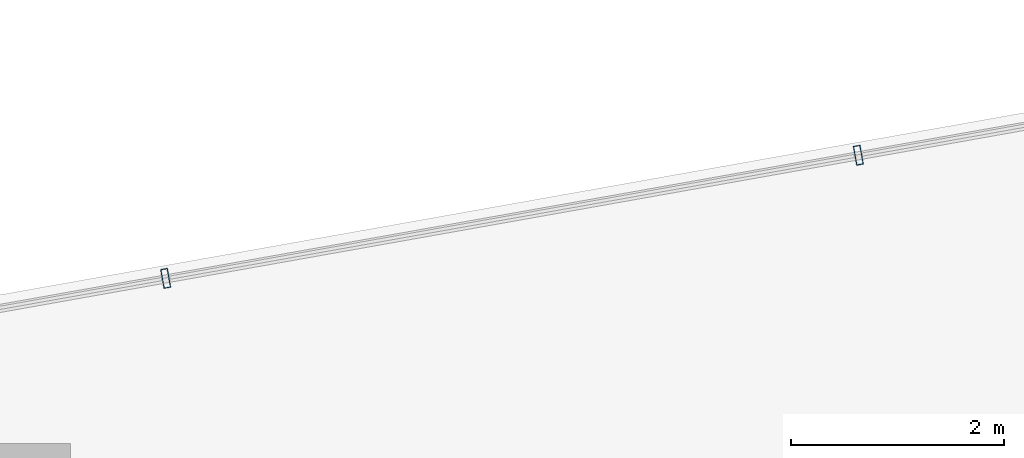
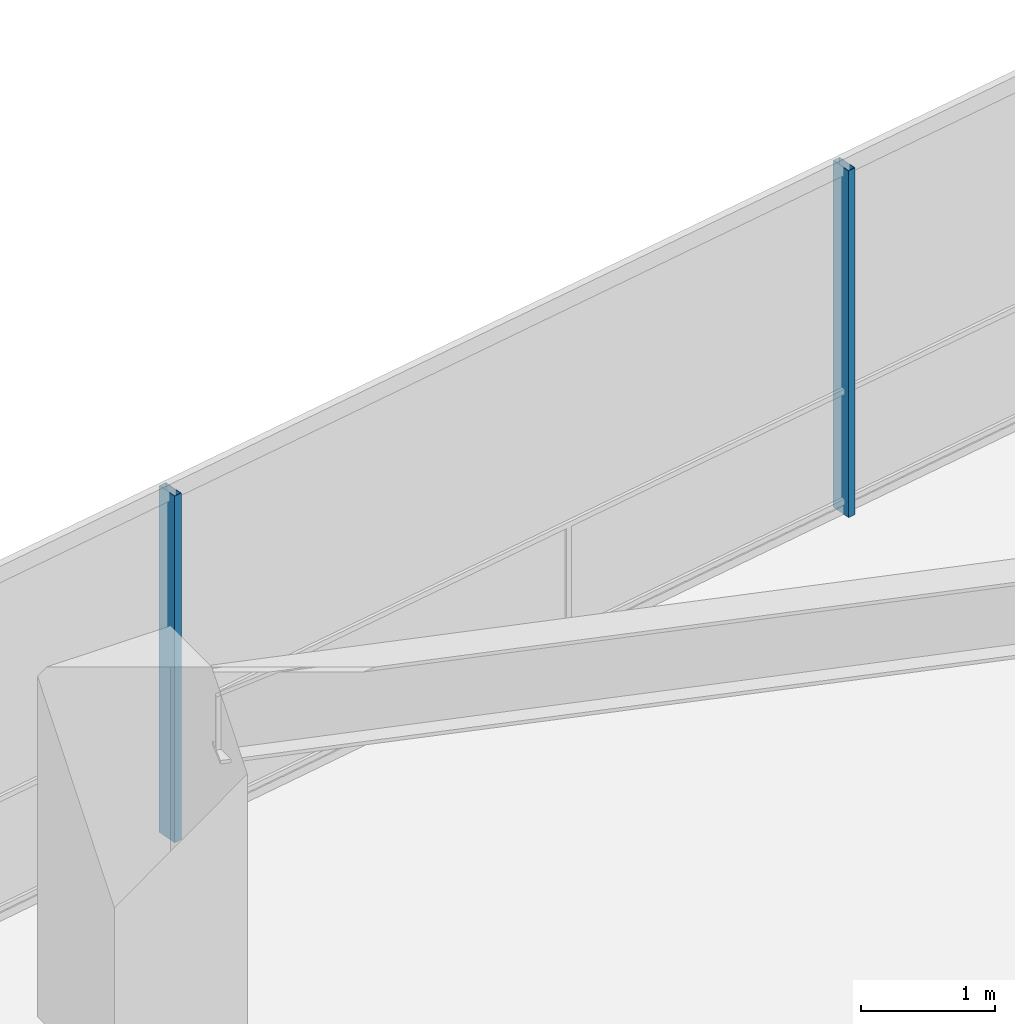
# One storey, part 20 of 27: 2 members, 1 element without a shape of its own.
"""IFC4 building model written with IfcOpenShell, lengths in metres."""

from ifc_helpers import new_model, si_unit, direction, frame, origin, origin_2d, place, context, subcontext, project, spatial, hollow_rectangle, extrude, material, layer, layer_set, material_profile, profile_set, type_object, element, aggregate, save


model = new_model("IFC4")

# Units and contexts
model_context = context("Model", 3, precision=1e-05, world=origin(), true_north=direction((0.0, 1.0)))
body_context = subcontext(model_context, "Body", "Model", "MODEL_VIEW")
ifc_project = project(units=[si_unit("LENGTHUNIT", "METRE"), si_unit("AREAUNIT", "SQUARE_METRE"), si_unit("VOLUMEUNIT", "CUBIC_METRE"), si_unit("PLANEANGLEUNIT", "RADIAN"), si_unit("MASSUNIT", "GRAM", prefix="KILO")], contexts=[model_context])

# Site, building, storey
site_placement = place(None, origin())
site = spatial("IfcSite", under=ifc_project, at=site_placement, CompositionType="ELEMENT")
building_placement = place(site_placement, origin())
building = spatial("IfcBuilding", under=site, at=building_placement, Name="Qarnah Convention Tower", CompositionType="ELEMENT")
storey_placement = place(building_placement, frame((0.0, 0.0, 103.949951171875)))
storey = spatial("IfcBuildingStorey", under=building, at=storey_placement, Name="L27", CompositionType="ELEMENT", Elevation=103.949951171875)

# Curtain wall, members
ifc_material_1 = material(Name="Tempered Low-E dark glass", Category="glass")
ifc_layer = layer(ifc_material_1, 0.169921875)
ifc_layer_set = layer_set([ifc_layer], Name="Tempered Low-E dark glass")
curtain_wall_type = type_object("IfcCurtainWallType", Name="CWS-02", PredefinedType="NOTDEFINED", material=ifc_layer_set)
curtain_wall_placement = place(storey_placement, origin())
curtain_wall = element("IfcCurtainWall", 1, at=curtain_wall_placement, inside=storey, type_object=curtain_wall_type, Name="L27 unitised curtain wall CW-L27-F3", PredefinedType="NOTDEFINED")
ifc_material_2 = material(Name="Black anodised aluminium", Category="aluminium")
ifc_material_profile = material_profile(ifc_material_2, hollow_rectangle(XDim=0.06494140625, YDim=0.179931640625, WallThickness=0.00390625, at=origin_2d()), Name="MUL-65X180")
ifc_profile_set = profile_set([ifc_material_profile], Name="Black anodised aluminium")
member_type = type_object("IfcMemberType", Name="MUL-T2", PredefinedType="MULLION", material=ifc_profile_set)
member_1_placement = place(storey_placement, frame((38.119140625, 44.160888671875, 0.0), z_axis=(0.0, 0.0, 1.0), x_axis=(0.984561462952, 0.175039211808, 0.0)))
member_1 = element("IfcMember", 2, at=member_1_placement, type_object=member_type, Name="CW-L27-F3 mullion 4", PredefinedType="MULLION", context=body_context, shape_type="SweptSolid", body=[
    extrude(hollow_rectangle(XDim=0.06494140625, YDim=0.179931640625, WallThickness=0.00390625, at=origin_2d()), origin(), (0.0, 0.0, 1.0), 3.170166015625),
])
member_2_placement = place(storey_placement, frame((44.613525390625, 45.3154296875, 0.0), z_axis=(0.0, 0.0, 1.0), x_axis=(0.984561462952, 0.175039211808, 0.0)))
member_2 = element("IfcMember", 3, at=member_2_placement, type_object=member_type, Name="CW-L27-F3 mullion 5", PredefinedType="MULLION", context=body_context, shape_type="SweptSolid", body=[
    extrude(hollow_rectangle(XDim=0.06494140625, YDim=0.179931640625, WallThickness=0.00390625, at=origin_2d()), origin(), (0.0, 0.0, 1.0), 3.170166015625),
])
aggregate(curtain_wall, [member_1, member_2])

save(model, "model.ifc")
